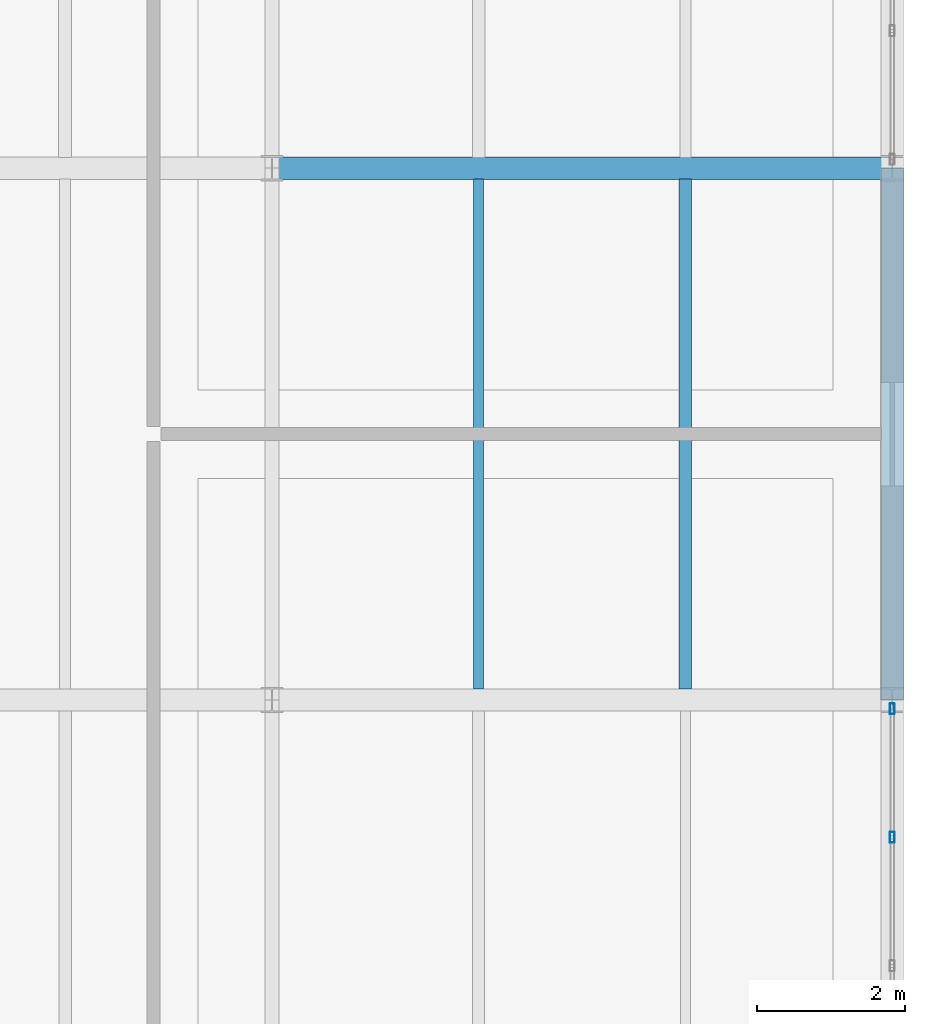
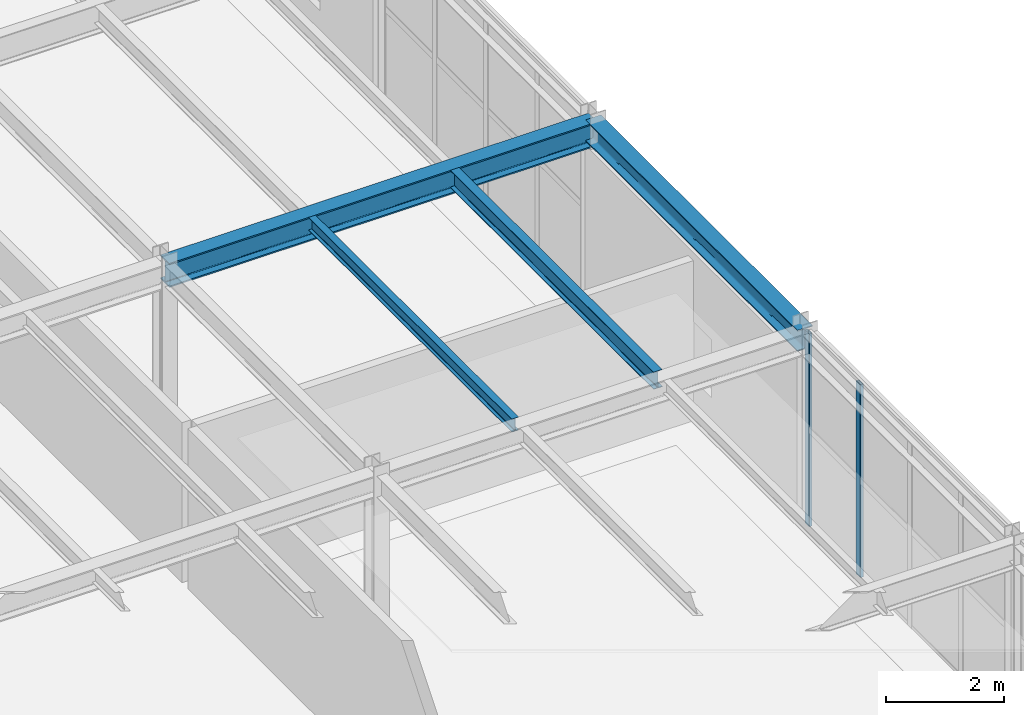
# One storey, part 40 of 73: 4 beams, 2 members, 1 element without a shape of its own.
"""IFC4 building model written with IfcOpenShell, lengths in metres."""

from ifc_helpers import new_model, si_unit, derived_unit, direction, frame, origin, origin_2d, place, context, subcontext, project, spatial, hollow_rectangle, i_section, extrude, material, material_profile, profile_set, type_object, element, aggregate, save


model = new_model("IFC4")

# Units and contexts
model_context = context("Model", 3, precision=1e-05, world=origin(), true_north=direction((0.0, 1.0)))
body_context = subcontext(model_context, "Body", "Model", "MODEL_VIEW")
ifc_project = project(units=[si_unit("LENGTHUNIT", "METRE"), si_unit("AREAUNIT", "SQUARE_METRE"), si_unit("VOLUMEUNIT", "CUBIC_METRE"), si_unit("PLANEANGLEUNIT", "RADIAN"), si_unit("MASSUNIT", "GRAM", prefix="KILO"), derived_unit("THERMALTRANSMITTANCEUNIT", [(si_unit("MASSUNIT", "GRAM", prefix="KILO"), 1), (si_unit("TIMEUNIT", "SECOND"), -3), (si_unit("THERMODYNAMICTEMPERATUREUNIT", "KELVIN"), -1)])], contexts=[model_context])

# Site, building, storey
site_placement = place(None, origin())
site = spatial("IfcSite", under=ifc_project, at=site_placement, CompositionType="ELEMENT")
building_placement = place(site_placement, origin())
building = spatial("IfcBuilding", under=site, at=building_placement, Name="Kharveza Railside Sports Centre", CompositionType="ELEMENT")
storey_placement = place(building_placement, frame((0.0, 0.0, 8.699951171875)))
storey = spatial("IfcBuildingStorey", under=building, at=storey_placement, Name="L02", CompositionType="ELEMENT", Elevation=8.699951171875)

# Beams
ifc_material_1 = material(Name="Steel S355J2", Category="steel")
ifc_material_profile_1 = material_profile(ifc_material_1, i_section(OverallWidth=0.300048828125, OverallDepth=0.5, WebThickness=0.014404296875, FlangeThickness=0.028076171875, FilletRadius=0.027099609375, at=origin_2d()), Name="HEB 500")
ifc_profile_set_1 = profile_set([ifc_material_profile_1], Name="Steel S355J2")
beam_type_1 = type_object("IfcBeamType", Name="BM-G05", PredefinedType="T_BEAM", material=ifc_profile_set_1)
beam_1_placement = place(storey_placement, frame((159.60009765625, 50.39990234375, 3.75), z_axis=(1.0, 0.0, 0.0), x_axis=(0.0, 1.0, 0.0)))
element("IfcBeam", 1, at=beam_1_placement, inside=storey, type_object=beam_type_1, Name="BM-EW-L02-B05-X1596-Y504", PredefinedType="T_BEAM", context=body_context, shape_type="SweptSolid", body=[
    extrude(i_section(OverallWidth=0.300048828125, OverallDepth=0.5, WebThickness=0.014404296875, FlangeThickness=0.028076171875, FilletRadius=0.027099609375, at=origin_2d()), origin(), (0.0, 0.0, 1.0), 8.39990234375),
])
ifc_material_profile_2 = material_profile(ifc_material_1, i_section(OverallWidth=0.169921875, OverallDepth=0.360107421875, WebThickness=0.008056640625, FlangeThickness=0.0126953125, FilletRadius=0.01806640625, at=origin_2d()), Name="IPE 360")
ifc_profile_set_2 = profile_set([ifc_material_profile_2], Name="Steel S355J2")
beam_type_2 = type_object("IfcBeamType", Name="BM-S02", PredefinedType="BEAM", material=ifc_profile_set_2)
beam_2_placement = place(storey_placement, frame((165.199951171875, 43.346923828125, 3.820068359375), z_axis=(0.0, 1.0, 0.0), x_axis=(-1.0, 0.0, 0.0)))
element("IfcBeam", 2, at=beam_2_placement, inside=storey, type_object=beam_type_2, Name="BM-SEC-L02-B10-X1652-Y432", PredefinedType="BEAM", context=body_context, shape_type="SweptSolid", body=[
    extrude(i_section(OverallWidth=0.169921875, OverallDepth=0.360107421875, WebThickness=0.008056640625, FlangeThickness=0.0126953125, FilletRadius=0.01806640625, at=origin_2d()), origin(), (0.0, 0.0, 1.0), 6.906005859375),
])
ifc_material_profile_3 = material_profile(ifc_material_1, i_section(OverallWidth=0.135009765625, OverallDepth=0.27001953125, WebThickness=0.006591796875, FlangeThickness=0.01025390625, FilletRadius=0.014892578125, at=origin_2d()), Name="IPE 270")
ifc_profile_set_3 = profile_set([ifc_material_profile_3], Name="Steel S355J2")
beam_type_3 = type_object("IfcBeamType", Name="BM-S05", PredefinedType="BEAM", material=ifc_profile_set_3)
beam_3_placement = place(storey_placement, frame((162.39990234375, 43.346923828125, 3.864990234375), z_axis=(0.0, 1.0, 0.0), x_axis=(-1.0, 0.0, 0.0)))
element("IfcBeam", 3, at=beam_3_placement, inside=storey, type_object=beam_type_3, Name="BM-SEC-L02-B13-X1624-Y432", PredefinedType="BEAM", context=body_context, shape_type="SweptSolid", body=[
    extrude(i_section(OverallWidth=0.135009765625, OverallDepth=0.27001953125, WebThickness=0.006591796875, FlangeThickness=0.01025390625, FilletRadius=0.014892578125, at=origin_2d()), origin(), (0.0, 0.0, 1.0), 6.906005859375),
])
ifc_material_profile_4 = material_profile(ifc_material_1, i_section(OverallWidth=0.300048828125, OverallDepth=0.43994140625, WebThickness=0.011474609375, FlangeThickness=0.02099609375, FilletRadius=0.027099609375, at=origin_2d()), Name="HEA 450")
ifc_profile_set_4 = profile_set([ifc_material_profile_4], Name="Steel S355J2")
beam_type_4 = type_object("IfcBeamType", Name="BM-SP01", PredefinedType="SPANDREL", material=ifc_profile_set_4)
beam_4_placement = place(storey_placement, frame((168.0, 43.199951171875, 3.780029296875), z_axis=(0.0, 1.0, 0.0), x_axis=(-1.0, 0.0, 0.0)))
element("IfcBeam", 4, at=beam_4_placement, inside=storey, type_object=beam_type_4, Name="BM-NS-L02-B15-X1680-Y432", PredefinedType="SPANDREL", context=body_context, shape_type="SweptSolid", body=[
    extrude(i_section(OverallWidth=0.300048828125, OverallDepth=0.43994140625, WebThickness=0.011474609375, FlangeThickness=0.02099609375, FilletRadius=0.027099609375, at=origin_2d()), origin(), (0.0, 0.0, 1.0), 7.199951171875),
])

# Curtain wall, members
ifc_material_2 = material(Name="Low-E solar-control laminated glass", Category="glass")
curtain_wall_type = type_object("IfcCurtainWallType", Name="CW-WG02", PredefinedType="NOTDEFINED", material=ifc_material_2)
curtain_wall_placement = place(storey_placement, origin())
curtain_wall = element("IfcCurtainWall", 5, at=curtain_wall_placement, inside=storey, type_object=curtain_wall_type, Name="CW-WG-L02-CW-WG02-X1680-Y396", PredefinedType="NOTDEFINED")
ifc_material_3 = material(Name="Anodised aluminium 6063-T6", Category="aluminium")
ifc_material_profile_5 = material_profile(ifc_material_3, hollow_rectangle(XDim=0.06494140625, YDim=0.14990234375, WallThickness=0.0048828125, InnerFilletRadius=0.0048828125, OuterFilletRadius=0.010009765625, at=origin_2d()), Name="RHS 65x150x5.0")
ifc_profile_set_5 = profile_set([ifc_material_profile_5], Name="Anodised aluminium 6063-T6")
member_type = type_object("IfcMemberType", Name="CW-ML04", PredefinedType="MULLION", material=ifc_profile_set_5)
member_1_placement = place(storey_placement, frame((168.0, 41.340087890625, 0.0), z_axis=(0.0, 0.0, 1.0), x_axis=(1.0, 0.0, 0.0)))
member_1 = element("IfcMember", 6, at=member_1_placement, type_object=member_type, Name="CW-WG-L02-CW-WG02-X1680-Y396-ML4", PredefinedType="MULLION", context=body_context, shape_type="SweptSolid", body=[
    extrude(hollow_rectangle(XDim=0.06494140625, YDim=0.14990234375, WallThickness=0.0048828125, InnerFilletRadius=0.0048828125, OuterFilletRadius=0.010009765625, at=origin_2d()), origin(), (0.0, 0.0, 1.0), 4.0),
])
member_2_placement = place(storey_placement, frame((168.0, 43.080078125, 0.0), z_axis=(0.0, 0.0, 1.0), x_axis=(1.0, 0.0, 0.0)))
member_2 = element("IfcMember", 7, at=member_2_placement, type_object=member_type, Name="CW-WG-L02-CW-WG02-X1680-Y396-ML5", PredefinedType="MULLION", context=body_context, shape_type="SweptSolid", body=[
    extrude(hollow_rectangle(XDim=0.06494140625, YDim=0.14990234375, WallThickness=0.0048828125, InnerFilletRadius=0.0048828125, OuterFilletRadius=0.010009765625, at=origin_2d()), origin(), (0.0, 0.0, 1.0), 4.0),
])
aggregate(curtain_wall, [member_1, member_2])

save(model, "model.ifc")
